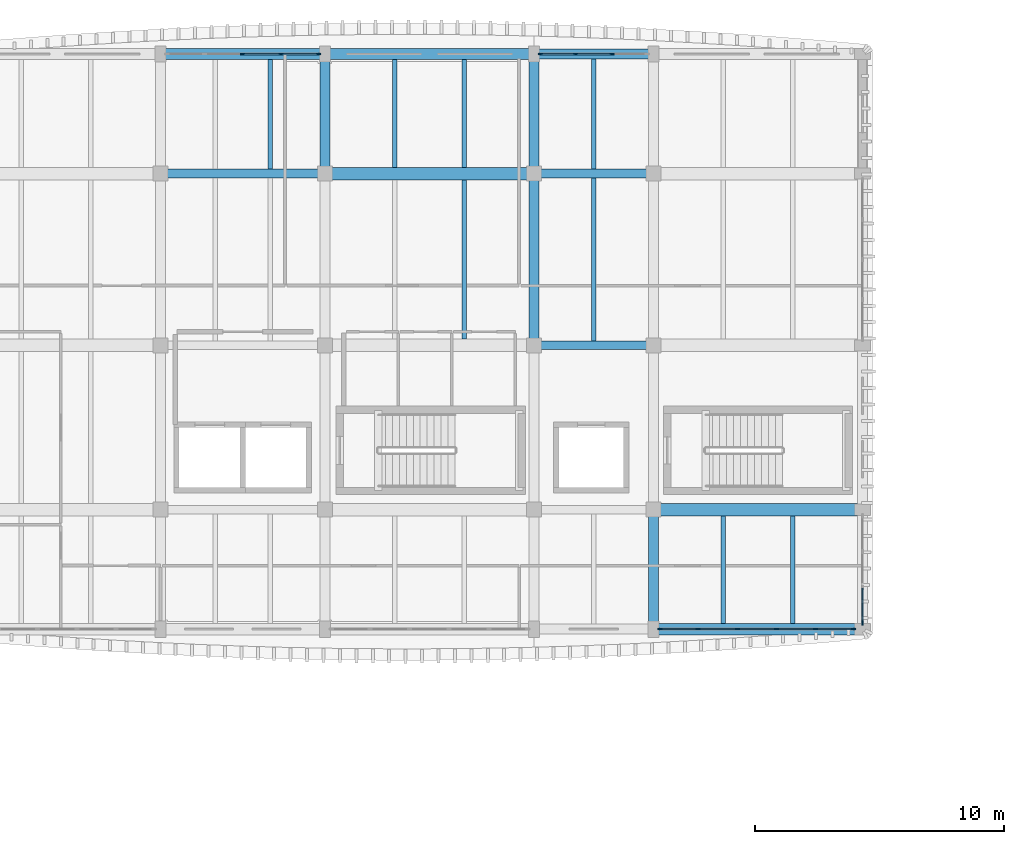
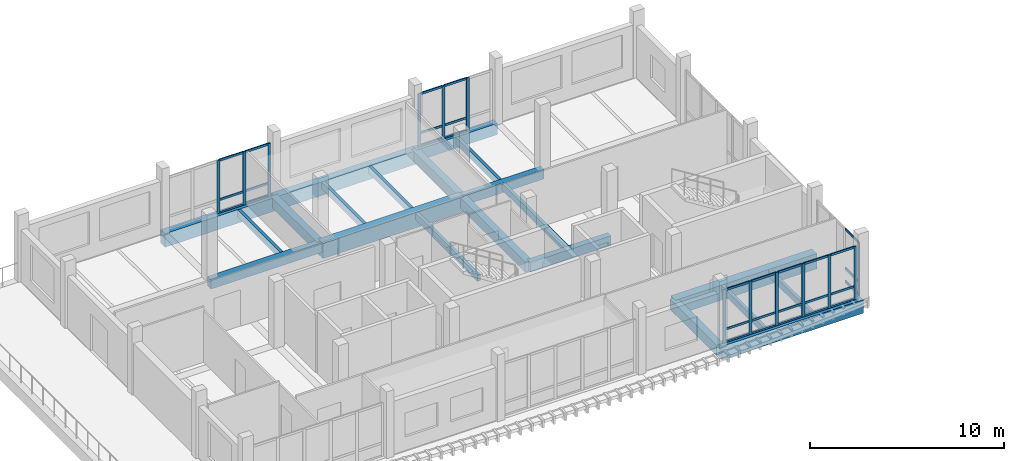
# One storey, part 4 of 20: 43 members, 21 beams, 4 elements without a shape of their own.
"""IFC4 building model written with IfcOpenShell, lengths in metres."""

from ifc_helpers import new_model, si_unit, direction, frame, origin, origin_2d, place, context, subcontext, project, spatial, rectangle, extrude, material, material_profile, profile_set, type_object, element, aggregate, save


model = new_model("IFC4")

# Units and contexts
model_context = context("Model", 3, precision=1e-05, world=origin(), true_north=direction((0.0, 1.0)))
body_context = subcontext(model_context, "Body", "Model", "MODEL_VIEW")
ifc_project = project(units=[si_unit("LENGTHUNIT", "METRE"), si_unit("AREAUNIT", "SQUARE_METRE"), si_unit("VOLUMEUNIT", "CUBIC_METRE"), si_unit("PLANEANGLEUNIT", "RADIAN"), si_unit("MASSUNIT", "GRAM", prefix="KILO")], contexts=[model_context])

# Site, building, storey
site_placement = place(None, origin())
site = spatial("IfcSite", under=ifc_project, at=site_placement, CompositionType="ELEMENT")
building_placement = place(site_placement, origin())
building = spatial("IfcBuilding", under=site, at=building_placement, Name="Dornvale Research Institute", CompositionType="ELEMENT")
storey_placement = place(building_placement, frame((0.0, 0.0, 34.199951171875)))
storey = spatial("IfcBuildingStorey", under=building, at=storey_placement, Name="L07", CompositionType="ELEMENT", Elevation=34.199951171875)

# Beams
ifc_material_1 = material(Name="Concrete f'c 45 MPa (C35/45)", Category="concrete")
ifc_material_profile_1 = material_profile(ifc_material_1, rectangle(XDim=0.35009765625, YDim=0.60009765625, at=origin_2d()), Name="RC 350x600")
ifc_profile_set_1 = profile_set([ifc_material_profile_1], Name="Concrete f'c 45 MPa (C35/45)")
beam_type_1 = type_object("IfcBeamType", Name="Beam_RC350x600_Floor", PredefinedType="BEAM", material=ifc_profile_set_1)
beam_1_placement = place(storey_placement, frame((28.199951171875, 110.39990234375, -0.300048828125), z_axis=(1.0, 0.0, 0.0), x_axis=(0.0, 1.0, 0.0)))
element("IfcBeam", 1, at=beam_1_placement, inside=storey, type_object=beam_type_1, Name="L07 primary girder #1567", PredefinedType="BEAM", context=body_context, shape_type="SweptSolid", body=[
    extrude(rectangle(XDim=0.35009765625, YDim=0.60009765625, at=origin_2d()), origin(), (0.0, 0.0, 1.0), 4.800048828125),
])
beam_2_placement = place(storey_placement, frame((13.199951171875, 117.300048828125, -0.300048828125), z_axis=(1.0, 0.0, 0.0), x_axis=(0.0, 1.0, 0.0)))
element("IfcBeam", 2, at=beam_2_placement, inside=storey, type_object=beam_type_1, Name="L07 primary girder #1570", PredefinedType="BEAM", context=body_context, shape_type="SweptSolid", body=[
    extrude(rectangle(XDim=0.35009765625, YDim=0.60009765625, at=origin_2d()), origin(), (0.0, 0.0, 1.0), 6.60009765625),
])
beam_3_placement = place(storey_placement, frame((28.199951171875, 117.300048828125, -0.300048828125), z_axis=(1.0, 0.0, 0.0), x_axis=(0.0, 1.0, 0.0)))
element("IfcBeam", 3, at=beam_3_placement, inside=storey, type_object=beam_type_1, Name="L07 primary girder #1572", PredefinedType="BEAM", context=body_context, shape_type="SweptSolid", body=[
    extrude(rectangle(XDim=0.35009765625, YDim=0.60009765625, at=origin_2d()), origin(), (0.0, 0.0, 1.0), 4.800048828125),
])
ifc_material_2 = material(Name="Concrete f'c 45 MPa (C35/45)", Category="concrete")
ifc_material_profile_2 = material_profile(ifc_material_2, rectangle(XDim=0.39990234375, YDim=0.64990234375, at=origin_2d()), Name="RC 400x650")
ifc_profile_set_2 = profile_set([ifc_material_profile_2], Name="Concrete f'c 45 MPa (C35/45)")
beam_type_2 = type_object("IfcBeamType", Name="Beam_RC400x650_Floor", PredefinedType="BEAM", material=ifc_profile_set_2)
beam_4_placement = place(storey_placement, frame((19.800048828125, 117.300048828125, -0.324951171875), z_axis=(0.0, 1.0, 0.0), x_axis=(-1.0, 0.0, 0.0)))
element("IfcBeam", 4, at=beam_4_placement, inside=storey, type_object=beam_type_2, Name="L07 transverse girder #1590", PredefinedType="BEAM", context=body_context, shape_type="SweptSolid", body=[
    extrude(rectangle(XDim=0.39990234375, YDim=0.64990234375, at=origin_2d()), origin(), (0.0, 0.0, 1.0), 4.800048828125),
])
beam_5_placement = place(storey_placement, frame((28.199951171875, 110.39990234375, -0.324951171875), z_axis=(0.0, 1.0, 0.0), x_axis=(-1.0, 0.0, 0.0)))
element("IfcBeam", 5, at=beam_5_placement, inside=storey, type_object=beam_type_2, Name="L07 transverse girder #1593", PredefinedType="BEAM", context=body_context, shape_type="SweptSolid", body=[
    extrude(rectangle(XDim=0.39990234375, YDim=0.64990234375, at=origin_2d()), origin(), (0.0, 0.0, 1.0), 6.900146484375),
])
for number, where, z_axis, x_axis, name in (
    (6, (28.199951171875, 117.300048828125, -0.324951171875), (0.0, 1.0, 0.0), (-1.0, 0.0, 0.0), "L07 transverse girder #1594"),
    (7, (33.0, 99.0, -0.324951171875), (0.0, 1.0, 0.0), (-1.0, 0.0, 0.0), "L07 transverse girder #1595"),
):
    element("IfcBeam", number, at=place(storey_placement, frame(where, z_axis=z_axis, x_axis=x_axis)), inside=storey, type_object=beam_type_2, Name=name, PredefinedType="BEAM", context=body_context, shape_type="SweptSolid", body=[
        extrude(rectangle(XDim=0.39990234375, YDim=0.64990234375, at=origin_2d()), origin(), (0.0, 0.0, 1.0), 4.800048828125),
    ])
ifc_material_3 = material(Name="Concrete f'c 45 MPa (C35/45)", Category="concrete")
ifc_material_profile_3 = material_profile(ifc_material_3, rectangle(XDim=0.5, YDim=0.949951171875, at=origin_2d()), Name="RC 500x950")
ifc_profile_set_3 = profile_set([ifc_material_profile_3], Name="Concrete f'c 45 MPa (C35/45)")
beam_type_3 = type_object("IfcBeamType", Name="Beam_RC500x950_Girder", PredefinedType="BEAM", material=ifc_profile_set_3)
for number, where, z_axis, x_axis, name in (
    (8, (33.0, 103.800048828125, -0.474853515625), (1.0, 0.0, 0.0), (0.0, 1.0, 0.0), "L07 primary girder #1563"),
    (9, (19.800048828125, 117.300048828125, -0.474853515625), (1.0, 0.0, 0.0), (0.0, 1.0, 0.0), "L07 primary girder #1571"),
):
    element("IfcBeam", number, at=place(storey_placement, frame(where, z_axis=z_axis, x_axis=x_axis)), inside=storey, type_object=beam_type_3, Name=name, PredefinedType="BEAM", context=body_context, shape_type="SweptSolid", body=[
        extrude(rectangle(XDim=0.5, YDim=0.949951171875, at=origin_2d()), origin(), (0.0, 0.0, 1.0), 8.39990234375),
    ])
ifc_material_4 = material(Name="Concrete f'c 45 MPa (C35/45)", Category="concrete")
ifc_material_profile_4 = material_profile(ifc_material_4, rectangle(XDim=0.179931640625, YDim=0.43505859375, at=origin_2d()), Name="RC 180x435")
ifc_profile_set_4 = profile_set([ifc_material_profile_4], Name="Concrete f'c 45 MPa (C35/45)")
beam_type_4 = type_object("IfcBeamType", Name="Joist_RC180x435_Rib", PredefinedType="JOIST", material=ifc_profile_set_4)
beam_6_placement = place(storey_placement, frame((17.60009765625, 117.47509765625, -0.217529296875), z_axis=(0.0, 1.0, 0.0), x_axis=(-1.0, 0.0, 0.0)))
element("IfcBeam", 10, at=beam_6_placement, inside=storey, type_object=beam_type_4, Name="L07 laboratory waffle joist #776", PredefinedType="JOIST", context=body_context, shape_type="SweptSolid", body=[
    extrude(rectangle(XDim=0.179931640625, YDim=0.43505859375, at=origin_2d()), origin(), (0.0, 0.0, 1.0), 4.39990234375),
])
beam_7_placement = place(storey_placement, frame((25.39990234375, 110.64990234375, -0.217529296875), z_axis=(0.0, 1.0, 0.0), x_axis=(-1.0, 0.0, 0.0)))
element("IfcBeam", 11, at=beam_7_placement, inside=storey, type_object=beam_type_4, Name="L07 laboratory waffle joist #780", PredefinedType="JOIST", context=body_context, shape_type="SweptSolid", body=[
    extrude(rectangle(XDim=0.179931640625, YDim=0.43505859375, at=origin_2d()), origin(), (0.0, 0.0, 1.0), 6.400146484375),
])
for number, where, z_axis, x_axis, name in (
    (12, (22.60009765625, 117.550048828125, -0.217529296875), (0.0, 1.0, 0.0), (-1.0, 0.0, 0.0), "L07 laboratory waffle joist #781"),
    (13, (25.39990234375, 117.550048828125, -0.217529296875), (0.0, 1.0, 0.0), (-1.0, 0.0, 0.0), "L07 laboratory waffle joist #782"),
):
    element("IfcBeam", number, at=place(storey_placement, frame(where, z_axis=z_axis, x_axis=x_axis)), inside=storey, type_object=beam_type_4, Name=name, PredefinedType="JOIST", context=body_context, shape_type="SweptSolid", body=[
        extrude(rectangle(XDim=0.179931640625, YDim=0.43505859375, at=origin_2d()), origin(), (0.0, 0.0, 1.0), 4.324951171875),
    ])
beam_8_placement = place(storey_placement, frame((30.60009765625, 110.574951171875, -0.217529296875), z_axis=(0.0, 1.0, 0.0), x_axis=(-1.0, 0.0, 0.0)))
element("IfcBeam", 14, at=beam_8_placement, inside=storey, type_object=beam_type_4, Name="L07 laboratory waffle joist #784", PredefinedType="JOIST", context=body_context, shape_type="SweptSolid", body=[
    extrude(rectangle(XDim=0.179931640625, YDim=0.43505859375, at=origin_2d()), origin(), (0.0, 0.0, 1.0), 6.550048828125),
])
beam_9_placement = place(storey_placement, frame((30.60009765625, 117.47509765625, -0.217529296875), z_axis=(0.0, 1.0, 0.0), x_axis=(-1.0, 0.0, 0.0)))
element("IfcBeam", 15, at=beam_9_placement, inside=storey, type_object=beam_type_4, Name="L07 laboratory waffle joist #785", PredefinedType="JOIST", context=body_context, shape_type="SweptSolid", body=[
    extrude(rectangle(XDim=0.179931640625, YDim=0.43505859375, at=origin_2d()), origin(), (0.0, 0.0, 1.0), 4.4248046875),
])
for number, where, z_axis, x_axis, name in (
    (16, (35.800048828125, 99.22509765625, -0.217529296875), (0.0, 1.0, 0.0), (-1.0, 0.0, 0.0), "L07 laboratory waffle joist #786"),
    (17, (38.60009765625, 99.22509765625, -0.217529296875), (0.0, 1.0, 0.0), (-1.0, 0.0, 0.0), "L07 laboratory waffle joist #787"),
):
    element("IfcBeam", number, at=place(storey_placement, frame(where, z_axis=z_axis, x_axis=x_axis)), inside=storey, type_object=beam_type_4, Name=name, PredefinedType="JOIST", context=body_context, shape_type="SweptSolid", body=[
        extrude(rectangle(XDim=0.179931640625, YDim=0.43505859375, at=origin_2d()), origin(), (0.0, 0.0, 1.0), 4.324951171875),
    ])

# Curtain wall, members
ifc_material_5 = material(Name="Low-E Argon Double Insulating Glazing Unit", Category="glass")
curtain_wall_type_1 = type_object("IfcCurtainWallType", Name="UnitisedCurtainWall_V5_6150x3350", PredefinedType="USERDEFINED", material=ifc_material_5)
curtain_wall_1_placement = place(storey_placement, origin())
curtain_wall_1 = element("IfcCurtainWall", 18, at=curtain_wall_1_placement, inside=storey, type_object=curtain_wall_type_1, Name="L07 V5 unitised curtain wall CW-34 #181", ObjectType="UNITISED CURTAIN WALL", PredefinedType="USERDEFINED")
ifc_material_6 = material(Name="Anodized Aluminum AA 6063-T6 Thermally Broken Frame", Category="aluminium")
ifc_material_profile_5 = material_profile(ifc_material_6, rectangle(XDim=0.06494140625, YDim=0.179931640625, at=origin_2d()), Name="ALU MULLION 65x180")
ifc_profile_set_5 = profile_set([ifc_material_profile_5], Name="Anodized Aluminum AA 6063-T6 Thermally Broken Frame")
member_type_1 = type_object("IfcMemberType", Name="Mullion_CW_65x180", PredefinedType="MULLION", material=ifc_profile_set_5)
member_1_placement = place(storey_placement, frame((16.5, 122.10009765625, 0.0), z_axis=(0.0, 0.0, 1.0), x_axis=(0.0, 1.0, 0.0)))
member_1 = element("IfcMember", 19, at=member_1_placement, type_object=member_type_1, Name="CW-34 mullion 3", PredefinedType="MULLION", context=body_context, shape_type="SweptSolid", body=[
    extrude(rectangle(XDim=0.06494140625, YDim=0.179931640625, at=origin_2d()), origin(), (0.0, 0.0, 1.0), 3.35009765625),
])
member_2_placement = place(storey_placement, frame((18.03759765625, 122.10009765625, 0.0), z_axis=(0.0, 0.0, 1.0), x_axis=(0.0, 1.0, 0.0)))
member_2 = element("IfcMember", 20, at=member_2_placement, type_object=member_type_1, Name="CW-34 mullion 4", PredefinedType="MULLION", context=body_context, shape_type="SweptSolid", body=[
    extrude(rectangle(XDim=0.06494140625, YDim=0.179931640625, at=origin_2d()), origin(), (0.0, 0.0, 1.0), 3.35009765625),
])
member_3_placement = place(storey_placement, frame((19.54248046875, 122.10009765625, 0.0), z_axis=(0.0, 0.0, 1.0), x_axis=(0.0, 1.0, 0.0)))
member_3 = element("IfcMember", 21, at=member_3_placement, type_object=member_type_1, Name="CW-34 mullion 5", PredefinedType="MULLION", context=body_context, shape_type="SweptSolid", body=[
    extrude(rectangle(XDim=0.06494140625, YDim=0.179931640625, at=origin_2d()), origin(), (0.0, 0.0, 1.0), 3.35009765625),
])

ifc_material_7 = material(Name="Low-E Argon Double Insulating Glazing Unit", Category="glass")
curtain_wall_type_2 = type_object("IfcCurtainWallType", Name="UnitisedCurtainWall_V5_4350x3350", PredefinedType="USERDEFINED", material=ifc_material_7)
curtain_wall_2_placement = place(storey_placement, origin())
curtain_wall_2 = element("IfcCurtainWall", 22, at=curtain_wall_2_placement, inside=storey, type_object=curtain_wall_type_2, Name="L07 V5 unitised curtain wall CW-35 #182", ObjectType="UNITISED CURTAIN WALL", PredefinedType="USERDEFINED")
member_4_placement = place(storey_placement, frame((28.45751953125, 122.10009765625, 0.0), z_axis=(0.0, 0.0, 1.0), x_axis=(0.0, 1.0, 0.0)))
member_4 = element("IfcMember", 23, at=member_4_placement, type_object=member_type_1, Name="CW-35 mullion 1", PredefinedType="MULLION", context=body_context, shape_type="SweptSolid", body=[
    extrude(rectangle(XDim=0.06494140625, YDim=0.179931640625, at=origin_2d()), origin(), (0.0, 0.0, 1.0), 3.35009765625),
])
member_5_placement = place(storey_placement, frame((29.875, 122.10009765625, 0.0), z_axis=(0.0, 0.0, 1.0), x_axis=(0.0, 1.0, 0.0)))
member_5 = element("IfcMember", 24, at=member_5_placement, type_object=member_type_1, Name="CW-35 mullion 2", PredefinedType="MULLION", context=body_context, shape_type="SweptSolid", body=[
    extrude(rectangle(XDim=0.06494140625, YDim=0.179931640625, at=origin_2d()), origin(), (0.0, 0.0, 1.0), 3.35009765625),
])
member_6_placement = place(storey_placement, frame((31.324951171875, 122.10009765625, 0.0), z_axis=(0.0, 0.0, 1.0), x_axis=(0.0, 1.0, 0.0)))
member_6 = element("IfcMember", 25, at=member_6_placement, type_object=member_type_1, Name="CW-35 mullion 3", PredefinedType="MULLION", context=body_context, shape_type="SweptSolid", body=[
    extrude(rectangle(XDim=0.06494140625, YDim=0.179931640625, at=origin_2d()), origin(), (0.0, 0.0, 1.0), 3.35009765625),
])

# Curtain wall, member
curtain_wall_3_placement = place(storey_placement, origin())
curtain_wall_3 = element("IfcCurtainWall", 26, at=curtain_wall_3_placement, inside=storey, type_object=curtain_wall_type_2, Name="L07 V5 unitised curtain wall CW-35 #184", ObjectType="UNITISED CURTAIN WALL", PredefinedType="USERDEFINED")
member_7_placement = place(storey_placement, frame((41.39990234375, 99.257568359375, 0.0), z_axis=(0.0, 0.0, 1.0), x_axis=(1.0, 0.0, 0.0)))
member_7 = element("IfcMember", 27, at=member_7_placement, type_object=member_type_1, Name="CW-35 mullion 4", PredefinedType="MULLION", context=body_context, shape_type="SweptSolid", body=[
    extrude(rectangle(XDim=0.06494140625, YDim=0.179931640625, at=origin_2d()), origin(), (0.0, 0.0, 1.0), 3.35009765625),
])

# Curtain wall, members
ifc_material_8 = material(Name="Low-E Argon Double Insulating Glazing Unit", Category="glass")
curtain_wall_type_3 = type_object("IfcCurtainWallType", Name="UnitisedCurtainWall_V5_7850x3350", PredefinedType="USERDEFINED", material=ifc_material_8)
curtain_wall_4_placement = place(storey_placement, origin())
curtain_wall_4 = element("IfcCurtainWall", 28, at=curtain_wall_4_placement, inside=storey, type_object=curtain_wall_type_3, Name="L07 V5 unitised curtain wall CW-37 #185", ObjectType="UNITISED CURTAIN WALL", PredefinedType="USERDEFINED")
member_8_placement = place(storey_placement, frame((41.04248046875, 99.0, 0.0), z_axis=(0.0, 0.0, 1.0), x_axis=(0.0, -1.0, 0.0)))
member_8 = element("IfcMember", 29, at=member_8_placement, type_object=member_type_1, Name="CW-37 mullion 1", PredefinedType="MULLION", context=body_context, shape_type="SweptSolid", body=[
    extrude(rectangle(XDim=0.06494140625, YDim=0.179931640625, at=origin_2d()), origin(), (0.0, 0.0, 1.0), 3.35009765625),
])
member_9_placement = place(storey_placement, frame((39.5048828125, 99.0, 0.0), z_axis=(0.0, 0.0, 1.0), x_axis=(0.0, -1.0, 0.0)))
member_9 = element("IfcMember", 30, at=member_9_placement, type_object=member_type_1, Name="CW-37 mullion 2", PredefinedType="MULLION", context=body_context, shape_type="SweptSolid", body=[
    extrude(rectangle(XDim=0.06494140625, YDim=0.179931640625, at=origin_2d()), origin(), (0.0, 0.0, 1.0), 3.35009765625),
])
member_10_placement = place(storey_placement, frame((37.93505859375, 99.0, 0.0), z_axis=(0.0, 0.0, 1.0), x_axis=(0.0, -1.0, 0.0)))
member_10 = element("IfcMember", 31, at=member_10_placement, type_object=member_type_1, Name="CW-37 mullion 3", PredefinedType="MULLION", context=body_context, shape_type="SweptSolid", body=[
    extrude(rectangle(XDim=0.06494140625, YDim=0.179931640625, at=origin_2d()), origin(), (0.0, 0.0, 1.0), 3.35009765625),
])
member_11_placement = place(storey_placement, frame((36.364990234375, 99.0, 0.0), z_axis=(0.0, 0.0, 1.0), x_axis=(0.0, -1.0, 0.0)))
member_11 = element("IfcMember", 32, at=member_11_placement, type_object=member_type_1, Name="CW-37 mullion 4", PredefinedType="MULLION", context=body_context, shape_type="SweptSolid", body=[
    extrude(rectangle(XDim=0.06494140625, YDim=0.179931640625, at=origin_2d()), origin(), (0.0, 0.0, 1.0), 3.35009765625),
])
member_12_placement = place(storey_placement, frame((34.794921875, 99.0, 0.0), z_axis=(0.0, 0.0, 1.0), x_axis=(0.0, -1.0, 0.0)))
member_12 = element("IfcMember", 33, at=member_12_placement, type_object=member_type_1, Name="CW-37 mullion 5", PredefinedType="MULLION", context=body_context, shape_type="SweptSolid", body=[
    extrude(rectangle(XDim=0.06494140625, YDim=0.179931640625, at=origin_2d()), origin(), (0.0, 0.0, 1.0), 3.35009765625),
])
member_13_placement = place(storey_placement, frame((33.257568359375, 99.0, 0.0), z_axis=(0.0, 0.0, 1.0), x_axis=(0.0, -1.0, 0.0)))
member_13 = element("IfcMember", 34, at=member_13_placement, type_object=member_type_1, Name="CW-37 mullion 6", PredefinedType="MULLION", context=body_context, shape_type="SweptSolid", body=[
    extrude(rectangle(XDim=0.06494140625, YDim=0.179931640625, at=origin_2d()), origin(), (0.0, 0.0, 1.0), 3.35009765625),
])

# Beams
ifc_material_9 = material(Name="Concrete f'c 45 MPa (C35/45)", Category="concrete")
ifc_material_profile_6 = material_profile(ifc_material_9, rectangle(XDim=0.39990234375, YDim=0.699951171875, at=origin_2d()), Name="RC 400x700")
ifc_profile_set_6 = profile_set([ifc_material_profile_6], Name="Concrete f'c 45 MPa (C35/45)")
beam_type_5 = type_object("IfcBeamType", Name="Spandrel_RC400x700_Ext", PredefinedType="SPANDREL", material=ifc_profile_set_6)
beam_10_placement = place(storey_placement, frame((28.199951171875, 122.10009765625, -0.349853515625), z_axis=(1.0, 0.0, 0.0), x_axis=(0.0, 1.0, 0.0)))
element("IfcBeam", 35, at=beam_10_placement, inside=storey, type_object=beam_type_5, Name="L07 perimeter spandrel #1577", PredefinedType="SPANDREL", context=body_context, shape_type="SweptSolid", body=[
    extrude(rectangle(XDim=0.39990234375, YDim=0.699951171875, at=origin_2d()), origin(), (0.0, 0.0, 1.0), 4.800048828125),
])
ifc_material_10 = material(Name="Concrete f'c 45 MPa (C35/45)", Category="concrete")
ifc_material_profile_7 = material_profile(ifc_material_10, rectangle(XDim=0.449951171875, YDim=0.85009765625, at=origin_2d()), Name="RC 450x850")
ifc_profile_set_7 = profile_set([ifc_material_profile_7], Name="Concrete f'c 45 MPa (C35/45)")
beam_type_6 = type_object("IfcBeamType", Name="Spandrel_RC450x850_Ext", PredefinedType="SPANDREL", material=ifc_profile_set_7)
beam_11_placement = place(storey_placement, frame((33.0, 99.0, -0.425048828125), z_axis=(1.0, 0.0, 0.0), x_axis=(0.0, 1.0, 0.0)))
element("IfcBeam", 36, at=beam_11_placement, inside=storey, type_object=beam_type_6, Name="L07 perimeter spandrel #1558", PredefinedType="SPANDREL", context=body_context, shape_type="SweptSolid", body=[
    extrude(rectangle(XDim=0.449951171875, YDim=0.85009765625, at=origin_2d()), origin(), (0.0, 0.0, 1.0), 8.39990234375),
])
beam_12_placement = place(storey_placement, frame((13.199951171875, 122.10009765625, -0.425048828125), z_axis=(1.0, 0.0, 0.0), x_axis=(0.0, 1.0, 0.0)))
element("IfcBeam", 37, at=beam_12_placement, inside=storey, type_object=beam_type_6, Name="L07 perimeter spandrel #1575", PredefinedType="SPANDREL", context=body_context, shape_type="SweptSolid", body=[
    extrude(rectangle(XDim=0.449951171875, YDim=0.85009765625, at=origin_2d()), origin(), (0.0, 0.0, 1.0), 6.60009765625),
])
beam_13_placement = place(storey_placement, frame((19.800048828125, 122.10009765625, -0.425048828125), z_axis=(1.0, 0.0, 0.0), x_axis=(0.0, 1.0, 0.0)))
element("IfcBeam", 38, at=beam_13_placement, inside=storey, type_object=beam_type_6, Name="L07 perimeter spandrel #1576", PredefinedType="SPANDREL", context=body_context, shape_type="SweptSolid", body=[
    extrude(rectangle(XDim=0.449951171875, YDim=0.85009765625, at=origin_2d()), origin(), (0.0, 0.0, 1.0), 8.39990234375),
])

# Member
ifc_material_11 = material(Name="Anodized Aluminum AA 6063-T6 Thermally Broken Frame", Category="aluminium")
ifc_material_profile_8 = material_profile(ifc_material_11, rectangle(XDim=0.06494140625, YDim=0.135009765625, at=origin_2d()), Name="ALU TRANSOM 65x135")
ifc_profile_set_8 = profile_set([ifc_material_profile_8], Name="Anodized Aluminum AA 6063-T6 Thermally Broken Frame")
member_type_2 = type_object("IfcMemberType", Name="Transom_CW_65x135", PredefinedType="USERDEFINED", material=ifc_profile_set_8)
member_14_placement = place(storey_placement, frame((16.532470703125, 122.10009765625, 0.032470703125), z_axis=(1.0, 0.0, 0.0), x_axis=(0.0, 1.0, 0.0)))
member_14 = element("IfcMember", 39, at=member_14_placement, type_object=member_type_2, Name="CW-34 transom 3.1", ObjectType="TRANSOM", PredefinedType="USERDEFINED", context=body_context, shape_type="SweptSolid", body=[
    extrude(rectangle(XDim=0.06494140625, YDim=0.135009765625, at=origin_2d()), origin(), (0.0, 0.0, 1.0), 1.472412109375),
])

member_15_placement = place(storey_placement, frame((16.532470703125, 122.10009765625, 0.85009765625), z_axis=(1.0, 0.0, 0.0), x_axis=(0.0, 1.0, 0.0)))
member_15 = element("IfcMember", 40, at=member_15_placement, type_object=member_type_2, Name="CW-34 transom 3.2", ObjectType="TRANSOM", PredefinedType="USERDEFINED", context=body_context, shape_type="SweptSolid", body=[
    extrude(rectangle(XDim=0.06494140625, YDim=0.135009765625, at=origin_2d()), origin(), (0.0, 0.0, 1.0), 1.472412109375),
])

member_16_placement = place(storey_placement, frame((16.532470703125, 122.10009765625, 3.317626953125), z_axis=(1.0, 0.0, 0.0), x_axis=(0.0, 1.0, 0.0)))
member_16 = element("IfcMember", 41, at=member_16_placement, type_object=member_type_2, Name="CW-34 transom 3.3", ObjectType="TRANSOM", PredefinedType="USERDEFINED", context=body_context, shape_type="SweptSolid", body=[
    extrude(rectangle(XDim=0.06494140625, YDim=0.135009765625, at=origin_2d()), origin(), (0.0, 0.0, 1.0), 1.472412109375),
])

member_17_placement = place(storey_placement, frame((18.070068359375, 122.10009765625, 0.032470703125), z_axis=(1.0, 0.0, 0.0), x_axis=(0.0, 1.0, 0.0)))
member_17 = element("IfcMember", 42, at=member_17_placement, type_object=member_type_2, Name="CW-34 transom 4.1", ObjectType="TRANSOM", PredefinedType="USERDEFINED", context=body_context, shape_type="SweptSolid", body=[
    extrude(rectangle(XDim=0.06494140625, YDim=0.135009765625, at=origin_2d()), origin(), (0.0, 0.0, 1.0), 1.43994140625),
])

member_18_placement = place(storey_placement, frame((18.070068359375, 122.10009765625, 0.85009765625), z_axis=(1.0, 0.0, 0.0), x_axis=(0.0, 1.0, 0.0)))
member_18 = element("IfcMember", 43, at=member_18_placement, type_object=member_type_2, Name="CW-34 transom 4.2", ObjectType="TRANSOM", PredefinedType="USERDEFINED", context=body_context, shape_type="SweptSolid", body=[
    extrude(rectangle(XDim=0.06494140625, YDim=0.135009765625, at=origin_2d()), origin(), (0.0, 0.0, 1.0), 1.43994140625),
])

member_19_placement = place(storey_placement, frame((18.070068359375, 122.10009765625, 3.317626953125), z_axis=(1.0, 0.0, 0.0), x_axis=(0.0, 1.0, 0.0)))
member_19 = element("IfcMember", 44, at=member_19_placement, type_object=member_type_2, Name="CW-34 transom 4.3", ObjectType="TRANSOM", PredefinedType="USERDEFINED", context=body_context, shape_type="SweptSolid", body=[
    extrude(rectangle(XDim=0.06494140625, YDim=0.135009765625, at=origin_2d()), origin(), (0.0, 0.0, 1.0), 1.43994140625),
])

aggregate(curtain_wall_1, [member_1, member_2, member_3, member_14, member_15, member_16, member_17, member_18, member_19])

member_20_placement = place(storey_placement, frame((28.489990234375, 122.10009765625, 0.032470703125), z_axis=(1.0, 0.0, 0.0), x_axis=(0.0, 1.0, 0.0)))
member_20 = element("IfcMember", 45, at=member_20_placement, type_object=member_type_2, Name="CW-35 transom 1.1", ObjectType="TRANSOM", PredefinedType="USERDEFINED", context=body_context, shape_type="SweptSolid", body=[
    extrude(rectangle(XDim=0.06494140625, YDim=0.135009765625, at=origin_2d()), origin(), (0.0, 0.0, 1.0), 1.3525390625),
])

member_21_placement = place(storey_placement, frame((28.489990234375, 122.10009765625, 0.85009765625), z_axis=(1.0, 0.0, 0.0), x_axis=(0.0, 1.0, 0.0)))
member_21 = element("IfcMember", 46, at=member_21_placement, type_object=member_type_2, Name="CW-35 transom 1.2", ObjectType="TRANSOM", PredefinedType="USERDEFINED", context=body_context, shape_type="SweptSolid", body=[
    extrude(rectangle(XDim=0.06494140625, YDim=0.135009765625, at=origin_2d()), origin(), (0.0, 0.0, 1.0), 1.3525390625),
])

member_22_placement = place(storey_placement, frame((28.489990234375, 122.10009765625, 3.317626953125), z_axis=(1.0, 0.0, 0.0), x_axis=(0.0, 1.0, 0.0)))
member_22 = element("IfcMember", 47, at=member_22_placement, type_object=member_type_2, Name="CW-35 transom 1.3", ObjectType="TRANSOM", PredefinedType="USERDEFINED", context=body_context, shape_type="SweptSolid", body=[
    extrude(rectangle(XDim=0.06494140625, YDim=0.135009765625, at=origin_2d()), origin(), (0.0, 0.0, 1.0), 1.3525390625),
])

member_23_placement = place(storey_placement, frame((29.907470703125, 122.10009765625, 0.032470703125), z_axis=(1.0, 0.0, 0.0), x_axis=(0.0, 1.0, 0.0)))
member_23 = element("IfcMember", 48, at=member_23_placement, type_object=member_type_2, Name="CW-35 transom 2.1", ObjectType="TRANSOM", PredefinedType="USERDEFINED", context=body_context, shape_type="SweptSolid", body=[
    extrude(rectangle(XDim=0.06494140625, YDim=0.135009765625, at=origin_2d()), origin(), (0.0, 0.0, 1.0), 1.385009765625),
])

member_24_placement = place(storey_placement, frame((29.907470703125, 122.10009765625, 0.85009765625), z_axis=(1.0, 0.0, 0.0), x_axis=(0.0, 1.0, 0.0)))
member_24 = element("IfcMember", 49, at=member_24_placement, type_object=member_type_2, Name="CW-35 transom 2.2", ObjectType="TRANSOM", PredefinedType="USERDEFINED", context=body_context, shape_type="SweptSolid", body=[
    extrude(rectangle(XDim=0.06494140625, YDim=0.135009765625, at=origin_2d()), origin(), (0.0, 0.0, 1.0), 1.385009765625),
])

member_25_placement = place(storey_placement, frame((29.907470703125, 122.10009765625, 3.317626953125), z_axis=(1.0, 0.0, 0.0), x_axis=(0.0, 1.0, 0.0)))
member_25 = element("IfcMember", 50, at=member_25_placement, type_object=member_type_2, Name="CW-35 transom 2.3", ObjectType="TRANSOM", PredefinedType="USERDEFINED", context=body_context, shape_type="SweptSolid", body=[
    extrude(rectangle(XDim=0.06494140625, YDim=0.135009765625, at=origin_2d()), origin(), (0.0, 0.0, 1.0), 1.385009765625),
])

aggregate(curtain_wall_2, [member_4, member_5, member_6, member_20, member_21, member_22, member_23, member_24, member_25])

member_26_placement = place(storey_placement, frame((41.39990234375, 100.642578125, 0.032470703125), z_axis=(0.0, -1.0, 0.0), x_axis=(1.0, 0.0, 0.0)))
member_26 = element("IfcMember", 51, at=member_26_placement, type_object=member_type_2, Name="CW-35 transom 3.1", ObjectType="TRANSOM", PredefinedType="USERDEFINED", context=body_context, shape_type="SweptSolid", body=[
    extrude(rectangle(XDim=0.06494140625, YDim=0.135009765625, at=origin_2d()), origin(), (0.0, 0.0, 1.0), 1.3525390625),
])

member_27_placement = place(storey_placement, frame((41.39990234375, 100.642578125, 0.85009765625), z_axis=(0.0, -1.0, 0.0), x_axis=(1.0, 0.0, 0.0)))
member_27 = element("IfcMember", 52, at=member_27_placement, type_object=member_type_2, Name="CW-35 transom 3.2", ObjectType="TRANSOM", PredefinedType="USERDEFINED", context=body_context, shape_type="SweptSolid", body=[
    extrude(rectangle(XDim=0.06494140625, YDim=0.135009765625, at=origin_2d()), origin(), (0.0, 0.0, 1.0), 1.3525390625),
])

member_28_placement = place(storey_placement, frame((41.39990234375, 100.642578125, 3.317626953125), z_axis=(0.0, -1.0, 0.0), x_axis=(1.0, 0.0, 0.0)))
member_28 = element("IfcMember", 53, at=member_28_placement, type_object=member_type_2, Name="CW-35 transom 3.3", ObjectType="TRANSOM", PredefinedType="USERDEFINED", context=body_context, shape_type="SweptSolid", body=[
    extrude(rectangle(XDim=0.06494140625, YDim=0.135009765625, at=origin_2d()), origin(), (0.0, 0.0, 1.0), 1.3525390625),
])

aggregate(curtain_wall_3, [member_7, member_26, member_27, member_28])

member_29_placement = place(storey_placement, frame((41.010009765625, 99.0, 0.032470703125), z_axis=(-1.0, 0.0, 0.0), x_axis=(0.0, -1.0, 0.0)))
member_29 = element("IfcMember", 54, at=member_29_placement, type_object=member_type_2, Name="CW-37 transom 1.1", ObjectType="TRANSOM", PredefinedType="USERDEFINED", context=body_context, shape_type="SweptSolid", body=[
    extrude(rectangle(XDim=0.06494140625, YDim=0.135009765625, at=origin_2d()), origin(), (0.0, 0.0, 1.0), 1.472412109375),
])

member_30_placement = place(storey_placement, frame((41.010009765625, 99.0, 0.85009765625), z_axis=(-1.0, 0.0, 0.0), x_axis=(0.0, -1.0, 0.0)))
member_30 = element("IfcMember", 55, at=member_30_placement, type_object=member_type_2, Name="CW-37 transom 1.2", ObjectType="TRANSOM", PredefinedType="USERDEFINED", context=body_context, shape_type="SweptSolid", body=[
    extrude(rectangle(XDim=0.06494140625, YDim=0.135009765625, at=origin_2d()), origin(), (0.0, 0.0, 1.0), 1.472412109375),
])

member_31_placement = place(storey_placement, frame((41.010009765625, 99.0, 3.317626953125), z_axis=(-1.0, 0.0, 0.0), x_axis=(0.0, -1.0, 0.0)))
member_31 = element("IfcMember", 56, at=member_31_placement, type_object=member_type_2, Name="CW-37 transom 1.3", ObjectType="TRANSOM", PredefinedType="USERDEFINED", context=body_context, shape_type="SweptSolid", body=[
    extrude(rectangle(XDim=0.06494140625, YDim=0.135009765625, at=origin_2d()), origin(), (0.0, 0.0, 1.0), 1.472412109375),
])

member_32_placement = place(storey_placement, frame((39.472412109375, 99.0, 0.032470703125), z_axis=(-1.0, 0.0, 0.0), x_axis=(0.0, -1.0, 0.0)))
member_32 = element("IfcMember", 57, at=member_32_placement, type_object=member_type_2, Name="CW-37 transom 2.1", ObjectType="TRANSOM", PredefinedType="USERDEFINED", context=body_context, shape_type="SweptSolid", body=[
    extrude(rectangle(XDim=0.06494140625, YDim=0.135009765625, at=origin_2d()), origin(), (0.0, 0.0, 1.0), 1.5048828125),
])

member_33_placement = place(storey_placement, frame((39.472412109375, 99.0, 0.85009765625), z_axis=(-1.0, 0.0, 0.0), x_axis=(0.0, -1.0, 0.0)))
member_33 = element("IfcMember", 58, at=member_33_placement, type_object=member_type_2, Name="CW-37 transom 2.2", ObjectType="TRANSOM", PredefinedType="USERDEFINED", context=body_context, shape_type="SweptSolid", body=[
    extrude(rectangle(XDim=0.06494140625, YDim=0.135009765625, at=origin_2d()), origin(), (0.0, 0.0, 1.0), 1.5048828125),
])

member_34_placement = place(storey_placement, frame((39.472412109375, 99.0, 3.317626953125), z_axis=(-1.0, 0.0, 0.0), x_axis=(0.0, -1.0, 0.0)))
member_34 = element("IfcMember", 59, at=member_34_placement, type_object=member_type_2, Name="CW-37 transom 2.3", ObjectType="TRANSOM", PredefinedType="USERDEFINED", context=body_context, shape_type="SweptSolid", body=[
    extrude(rectangle(XDim=0.06494140625, YDim=0.135009765625, at=origin_2d()), origin(), (0.0, 0.0, 1.0), 1.5048828125),
])

member_35_placement = place(storey_placement, frame((37.902587890625, 99.0, 0.032470703125), z_axis=(-1.0, 0.0, 0.0), x_axis=(0.0, -1.0, 0.0)))
member_35 = element("IfcMember", 60, at=member_35_placement, type_object=member_type_2, Name="CW-37 transom 3.1", ObjectType="TRANSOM", PredefinedType="USERDEFINED", context=body_context, shape_type="SweptSolid", body=[
    extrude(rectangle(XDim=0.06494140625, YDim=0.135009765625, at=origin_2d()), origin(), (0.0, 0.0, 1.0), 1.505126953125),
])

member_36_placement = place(storey_placement, frame((37.902587890625, 99.0, 0.85009765625), z_axis=(-1.0, 0.0, 0.0), x_axis=(0.0, -1.0, 0.0)))
member_36 = element("IfcMember", 61, at=member_36_placement, type_object=member_type_2, Name="CW-37 transom 3.2", ObjectType="TRANSOM", PredefinedType="USERDEFINED", context=body_context, shape_type="SweptSolid", body=[
    extrude(rectangle(XDim=0.06494140625, YDim=0.135009765625, at=origin_2d()), origin(), (0.0, 0.0, 1.0), 1.505126953125),
])

member_37_placement = place(storey_placement, frame((37.902587890625, 99.0, 3.317626953125), z_axis=(-1.0, 0.0, 0.0), x_axis=(0.0, -1.0, 0.0)))
member_37 = element("IfcMember", 62, at=member_37_placement, type_object=member_type_2, Name="CW-37 transom 3.3", ObjectType="TRANSOM", PredefinedType="USERDEFINED", context=body_context, shape_type="SweptSolid", body=[
    extrude(rectangle(XDim=0.06494140625, YDim=0.135009765625, at=origin_2d()), origin(), (0.0, 0.0, 1.0), 1.505126953125),
])

member_38_placement = place(storey_placement, frame((36.33251953125, 99.0, 0.032470703125), z_axis=(-1.0, 0.0, 0.0), x_axis=(0.0, -1.0, 0.0)))
member_38 = element("IfcMember", 63, at=member_38_placement, type_object=member_type_2, Name="CW-37 transom 4.1", ObjectType="TRANSOM", PredefinedType="USERDEFINED", context=body_context, shape_type="SweptSolid", body=[
    extrude(rectangle(XDim=0.06494140625, YDim=0.135009765625, at=origin_2d()), origin(), (0.0, 0.0, 1.0), 1.505126953125),
])

member_39_placement = place(storey_placement, frame((36.33251953125, 99.0, 0.85009765625), z_axis=(-1.0, 0.0, 0.0), x_axis=(0.0, -1.0, 0.0)))
member_39 = element("IfcMember", 64, at=member_39_placement, type_object=member_type_2, Name="CW-37 transom 4.2", ObjectType="TRANSOM", PredefinedType="USERDEFINED", context=body_context, shape_type="SweptSolid", body=[
    extrude(rectangle(XDim=0.06494140625, YDim=0.135009765625, at=origin_2d()), origin(), (0.0, 0.0, 1.0), 1.505126953125),
])

member_40_placement = place(storey_placement, frame((36.33251953125, 99.0, 3.317626953125), z_axis=(-1.0, 0.0, 0.0), x_axis=(0.0, -1.0, 0.0)))
member_40 = element("IfcMember", 65, at=member_40_placement, type_object=member_type_2, Name="CW-37 transom 4.3", ObjectType="TRANSOM", PredefinedType="USERDEFINED", context=body_context, shape_type="SweptSolid", body=[
    extrude(rectangle(XDim=0.06494140625, YDim=0.135009765625, at=origin_2d()), origin(), (0.0, 0.0, 1.0), 1.505126953125),
])

member_41_placement = place(storey_placement, frame((34.762451171875, 99.0, 0.032470703125), z_axis=(-1.0, 0.0, 0.0), x_axis=(0.0, -1.0, 0.0)))
member_41 = element("IfcMember", 66, at=member_41_placement, type_object=member_type_2, Name="CW-37 transom 5.1", ObjectType="TRANSOM", PredefinedType="USERDEFINED", context=body_context, shape_type="SweptSolid", body=[
    extrude(rectangle(XDim=0.06494140625, YDim=0.135009765625, at=origin_2d()), origin(), (0.0, 0.0, 1.0), 1.472412109375),
])

member_42_placement = place(storey_placement, frame((34.762451171875, 99.0, 0.85009765625), z_axis=(-1.0, 0.0, 0.0), x_axis=(0.0, -1.0, 0.0)))
member_42 = element("IfcMember", 67, at=member_42_placement, type_object=member_type_2, Name="CW-37 transom 5.2", ObjectType="TRANSOM", PredefinedType="USERDEFINED", context=body_context, shape_type="SweptSolid", body=[
    extrude(rectangle(XDim=0.06494140625, YDim=0.135009765625, at=origin_2d()), origin(), (0.0, 0.0, 1.0), 1.472412109375),
])

member_43_placement = place(storey_placement, frame((34.762451171875, 99.0, 3.317626953125), z_axis=(-1.0, 0.0, 0.0), x_axis=(0.0, -1.0, 0.0)))
member_43 = element("IfcMember", 68, at=member_43_placement, type_object=member_type_2, Name="CW-37 transom 5.3", ObjectType="TRANSOM", PredefinedType="USERDEFINED", context=body_context, shape_type="SweptSolid", body=[
    extrude(rectangle(XDim=0.06494140625, YDim=0.135009765625, at=origin_2d()), origin(), (0.0, 0.0, 1.0), 1.472412109375),
])

aggregate(curtain_wall_4, [member_8, member_9, member_10, member_11, member_12, member_13, member_29, member_30, member_31, member_32, member_33, member_34, member_35, member_36, member_37, member_38, member_39, member_40, member_41, member_42, member_43])

save(model, "model.ifc")
